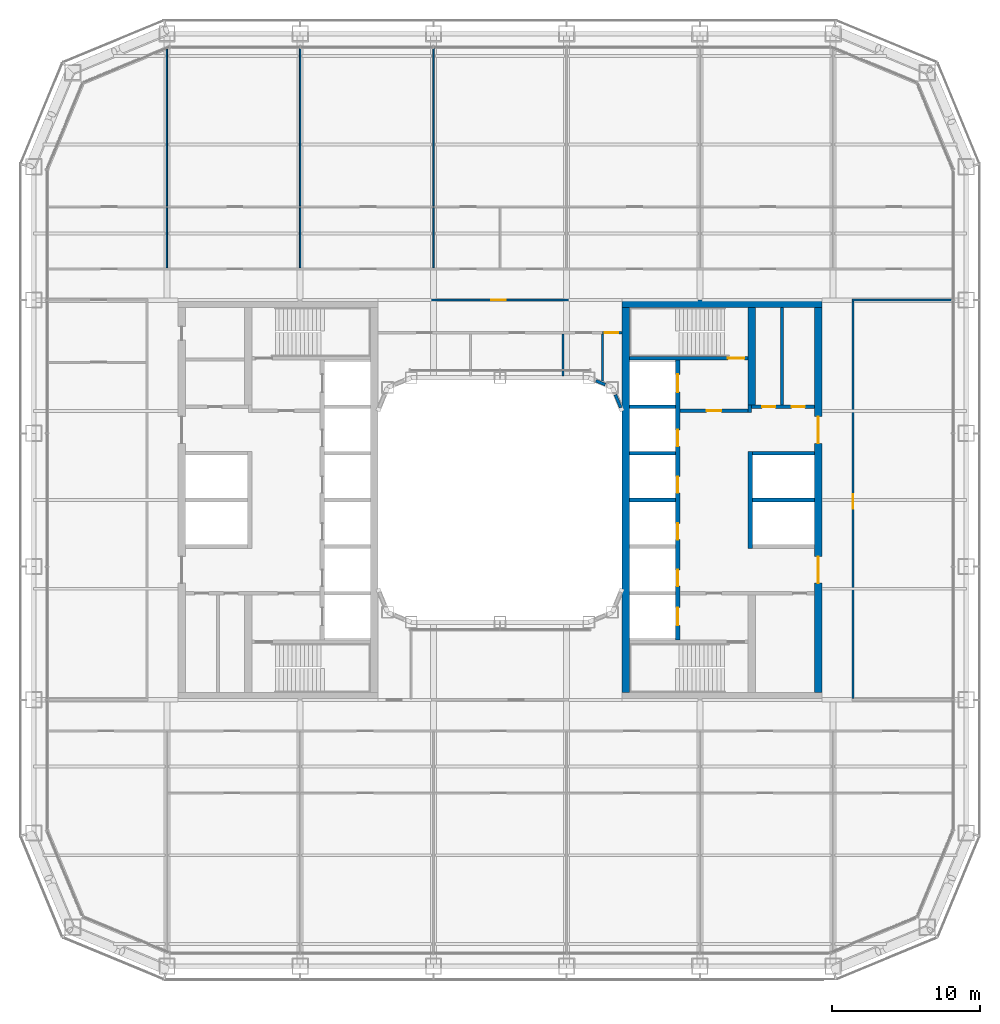
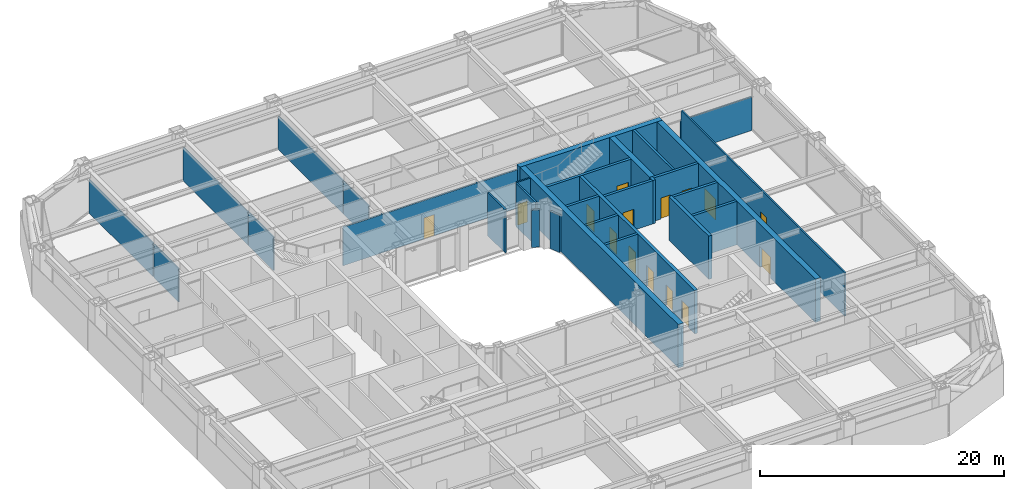
# One storey, part 14 of 24: 30 walls, 15 doors, 15 openings.
"""IFC4 building model written with IfcOpenShell, lengths in metres."""

from ifc_helpers import new_model, si_unit, direction, frame, frame_2d, origin, place, context, subcontext, project, spatial, rectangle, extrude, material, layer, layer_set, type_object, element, fill, save


model = new_model("IFC4")

# Units and contexts
model_context = context("Model", 3, precision=1e-05, world=origin(), true_north=direction((0.0, 1.0)))
body_context = subcontext(model_context, "Body", "Model", "MODEL_VIEW")
ifc_project = project(units=[si_unit("LENGTHUNIT", "METRE"), si_unit("AREAUNIT", "SQUARE_METRE"), si_unit("VOLUMEUNIT", "CUBIC_METRE"), si_unit("PLANEANGLEUNIT", "RADIAN"), si_unit("MASSUNIT", "GRAM", prefix="KILO")], contexts=[model_context])

# Site, building, storey
site_placement = place(None, origin())
site = spatial("IfcSite", under=ifc_project, at=site_placement, CompositionType="ELEMENT")
building_placement = place(site_placement, origin())
building = spatial("IfcBuilding", under=site, at=building_placement, Name="Siwar Civic Tower", CompositionType="ELEMENT")
storey_placement = place(building_placement, frame((0.0, 0.0, 22.199951171875)))
storey = spatial("IfcBuildingStorey", under=building, at=storey_placement, Name="L04", CompositionType="ELEMENT", Elevation=22.199951171875)

# Wall, opening, door
ifc_material_1 = material(Name="Gypsum board on steel studs", Category="steel")
ifc_layer_1 = layer(ifc_material_1, 0.14990234375)
ifc_layer_set_1 = layer_set([ifc_layer_1], Name="Gypsum board on steel studs")
wall_type_1 = type_object("IfcWallType", Name="COMPARTMENT PARTITION 150 EI 60", PredefinedType="PARTITIONING", material=ifc_layer_set_1)
wall_1_placement = place(storey_placement, frame((6.919921875, 11.300048828125, 0.0), z_axis=(0.0, 0.0, 1.0), x_axis=(1.0, 0.0, 0.0)))
wall_1 = element("IfcWall", 1, at=wall_1_placement, inside=storey, type_object=wall_type_1, Name="L04/wall/P08", PredefinedType="PARTITIONING", context=body_context, shape_type="SweptSolid", body=[
    extrude(rectangle(XDim=1.330078125, YDim=0.14990234375, at=frame_2d((0.6650390625, 0.0))), origin(), (0.0, 0.0, 1.0), 4.35009765625),
])
opening_1_placement = place(wall_1_placement, frame((0.14990234375, 0.0, 0.0)))
opening_1 = element("IfcOpeningElement", 2, at=opening_1_placement, cuts=wall_1, Name="Opening D4", PredefinedType="OPENING", context=body_context, shape_type="SweptSolid", body=[
    extrude(rectangle(XDim=0.89990234375, YDim=2.10009765625, at=frame_2d((0.449951171875, 1.050048828125))), frame((0.0, 0.0849609375, 0.0), z_axis=(0.0, -1.0, 0.0), x_axis=(1.0, 0.0, 0.0)), (0.0, 0.0, 1.0), 0.169921875),
])
ifc_material_2 = material(Name="Timber, painted", Category="wood")
door_type_1 = type_object("IfcDoorType", Name="DOOR 900 X 2100 FD60", OperationType="SINGLE_SWING_LEFT", PredefinedType="DOOR", material=ifc_material_2)
door_1_placement = place(opening_1_placement, origin())
door_1 = element("IfcDoor", 3, at=door_1_placement, inside=storey, type_object=door_type_1, Name="L04-D36", OperationType="SINGLE_SWING_RIGHT", OverallHeight=2.10009765625, OverallWidth=0.89990234375, PredefinedType="DOOR", context=body_context, shape_type="SweptSolid", body=[
    extrude(rectangle(XDim=0.89990234375, YDim=2.10009765625, at=frame_2d((0.449951171875, 1.050048828125))), frame((0.0, 0.02490234375, 0.0), z_axis=(0.0, -1.0, 0.0), x_axis=(1.0, 0.0, 0.0)), (0.0, 0.0, 1.0), 0.050048828125),
])
fill(opening_1, door_1)

# Walls
wall_2_placement = place(storey_placement, frame((6.919921875, 8.028076171875, 0.0), z_axis=(0.0, 0.0, 1.0), x_axis=(0.0, 1.0, 0.0)))
element("IfcWall", 4, at=wall_2_placement, inside=storey, type_object=wall_type_1, Name="L04/wall/P34", PredefinedType="PARTITIONING", context=body_context, shape_type="SweptSolid", body=[
    extrude(rectangle(XDim=3.197021484375, YDim=0.14990234375, at=frame_2d((1.5986328125, 0.0))), origin(), (0.0, 0.0, 1.0), 4.35009765625),
])
ifc_material_3 = material(Name="Gypsum board on steel studs", Category="steel")
ifc_layer_2 = layer(ifc_material_3, 0.199951171875)
ifc_layer_set_2 = layer_set([ifc_layer_2], Name="Gypsum board on steel studs")
wall_type_2 = type_object("IfcWallType", Name="CORE-PARTITION-200", PredefinedType="PARTITIONING", material=ifc_layer_set_2)
wall_3_placement = place(storey_placement, frame((19.050048828125, 6.425048828125, 0.0), z_axis=(0.0, 0.0, 1.0), x_axis=(0.0, 1.0, 0.0)))
element("IfcWall", 5, at=wall_3_placement, inside=storey, type_object=wall_type_2, Name="Core partition E", PredefinedType="PARTITIONING", context=body_context, shape_type="SweptSolid", body=[
    extrude(rectangle(XDim=6.574951171875, YDim=0.199951171875, at=frame_2d((3.28759765625, 0.0))), origin(), (0.0, 0.0, 1.0), 4.35009765625),
])

# Wall, opening, door
ifc_material_4 = material(Name="Concrete C60/75", Category="concrete")
ifc_layer_3 = layer(ifc_material_4, 0.25)
ifc_layer_set_3 = layer_set([ifc_layer_3], Name="Concrete C60/75")
wall_type_3 = type_object("IfcWallType", Name="CORE-WALL-RC250", PredefinedType="SHEAR", material=ifc_layer_set_3)
wall_4_placement = place(storey_placement, frame((12.14990234375, 6.02490234375, 0.0), z_axis=(0.0, 0.0, 1.0), x_axis=(1.0, 0.0, 0.0)))
wall_4 = element("IfcWall", 6, at=wall_4_placement, inside=storey, type_object=wall_type_3, Name="Core wall E", PredefinedType="SHEAR", context=body_context, shape_type="SweptSolid", body=[
    extrude(rectangle(XDim=4.60009765625, YDim=0.25, at=frame_2d((2.300048828125, 0.0))), origin(), (0.0, 0.0, 1.0), 4.35009765625),
])
opening_2_placement = place(wall_4_placement, frame((1.800048828125, 0.0, 0.0)))
opening_2 = element("IfcOpeningElement", 7, at=opening_2_placement, cuts=wall_4, Name="Opening L04-CE01", PredefinedType="OPENING", context=body_context, shape_type="SweptSolid", body=[
    extrude(rectangle(XDim=1.0, YDim=2.10009765625, at=frame_2d((0.5, 1.050048828125))), frame((0.0, 0.135009765625, 0.0), z_axis=(0.0, -1.0, 0.0), x_axis=(1.0, 0.0, 0.0)), (0.0, 0.0, 1.0), 0.27001953125),
])
ifc_material_5 = material(Name="Steel door leaf", Category="steel")
door_type_2 = type_object("IfcDoorType", Name="CORE-DOOR-FD30S", OperationType="SINGLE_SWING_LEFT", PredefinedType="DOOR", material=ifc_material_5)
door_2_placement = place(opening_2_placement, origin())
door_2 = element("IfcDoor", 8, at=door_2_placement, inside=storey, type_object=door_type_2, Name="Firefighting lobby door L04-CE01", OperationType="SINGLE_SWING_RIGHT", OverallHeight=2.10009765625, OverallWidth=1.0, PredefinedType="DOOR", context=body_context, shape_type="SweptSolid", body=[
    extrude(rectangle(XDim=1.0, YDim=2.10009765625, at=frame_2d((0.5, 1.050048828125))), frame((0.0, 0.02490234375, 0.0), z_axis=(0.0, -1.0, 0.0), x_axis=(1.0, 0.0, 0.0)), (0.0, 0.0, 1.0), 0.050048828125),
])
fill(opening_2, door_2)

# Wall
wall_5_placement = place(storey_placement, frame((16.875, 5.89990234375, 0.0), z_axis=(0.0, 0.0, 1.0), x_axis=(0.0, 1.0, 0.0)))
element("IfcWall", 9, at=wall_5_placement, inside=storey, type_object=wall_type_3, Name="Core wall E", PredefinedType="SHEAR", context=body_context, shape_type="SweptSolid", body=[
    extrude(rectangle(XDim=0.525146484375, YDim=0.25, at=frame_2d((0.2626953125, 0.0))), origin(), (0.0, 0.0, 1.0), 4.35009765625),
])

# Wall, openings, doors
wall_6_placement = place(storey_placement, frame((17.0, 6.300048828125, 0.0), z_axis=(0.0, 0.0, 1.0), x_axis=(1.0, 0.0, 0.0)))
wall_6 = element("IfcWall", 10, at=wall_6_placement, inside=storey, type_object=wall_type_3, Name="Core wall E", PredefinedType="SHEAR", context=body_context, shape_type="SweptSolid", body=[
    extrude(rectangle(XDim=4.25, YDim=0.25, at=frame_2d((2.125, 0.0))), origin(), (0.0, 0.0, 1.0), 4.35009765625),
])
opening_3_placement = place(wall_6_placement, frame((0.699951171875, 0.0, 0.0)))
opening_3 = element("IfcOpeningElement", 11, at=opening_3_placement, cuts=wall_6, Name="Opening L04-CE13", PredefinedType="OPENING", context=body_context, shape_type="SweptSolid", body=[
    extrude(rectangle(XDim=0.89990234375, YDim=2.10009765625, at=frame_2d((0.449951171875, 1.050048828125))), frame((0.0, 0.135009765625, 0.0), z_axis=(0.0, -1.0, 0.0), x_axis=(1.0, 0.0, 0.0)), (0.0, 0.0, 1.0), 0.27001953125),
])
opening_4_placement = place(wall_6_placement, frame((2.699951171875, 0.0, 0.0)))
opening_4 = element("IfcOpeningElement", 12, at=opening_4_placement, cuts=wall_6, Name="Opening L04-CE14", PredefinedType="OPENING", context=body_context, shape_type="SweptSolid", body=[
    extrude(rectangle(XDim=0.89990234375, YDim=2.10009765625, at=frame_2d((0.449951171875, 1.050048828125))), frame((0.0, 0.135009765625, 0.0), z_axis=(0.0, -1.0, 0.0), x_axis=(1.0, 0.0, 0.0)), (0.0, 0.0, 1.0), 0.27001953125),
])
ifc_material_6 = material(Name="Steel door leaf", Category="steel")
door_type_3 = type_object("IfcDoorType", Name="CORE-DOOR-ROOM", OperationType="SINGLE_SWING_LEFT", PredefinedType="DOOR", material=ifc_material_6)
door_3_placement = place(opening_3_placement, origin())
door_3 = element("IfcDoor", 13, at=door_3_placement, inside=storey, type_object=door_type_3, Name="Core room door L04-CE13", OperationType="SINGLE_SWING_LEFT", OverallHeight=2.10009765625, OverallWidth=0.89990234375, PredefinedType="DOOR", context=body_context, shape_type="SweptSolid", body=[
    extrude(rectangle(XDim=0.89990234375, YDim=2.10009765625, at=frame_2d((0.449951171875, 1.050048828125))), frame((0.0, 0.02490234375, 0.0), z_axis=(0.0, -1.0, 0.0), x_axis=(1.0, 0.0, 0.0)), (0.0, 0.0, 1.0), 0.050048828125),
])
fill(opening_3, door_3)
door_4_placement = place(opening_4_placement, origin())
door_4 = element("IfcDoor", 14, at=door_4_placement, inside=storey, type_object=door_type_3, Name="Core room door L04-CE14", OperationType="SINGLE_SWING_RIGHT", OverallHeight=2.10009765625, OverallWidth=0.89990234375, PredefinedType="DOOR", context=body_context, shape_type="SweptSolid", body=[
    extrude(rectangle(XDim=0.89990234375, YDim=2.10009765625, at=frame_2d((0.449951171875, 1.050048828125))), frame((0.0, 0.02490234375, 0.0), z_axis=(0.0, -1.0, 0.0), x_axis=(1.0, 0.0, 0.0)), (0.0, 0.0, 1.0), 0.050048828125),
])
fill(opening_4, door_4)

# Walls
for number, where, z_axis, x_axis, name in (
    (15, (17.050048828125, 0.0, 0.0), (0.0, 0.0, 1.0), (1.0, 0.0, 0.0), "Core wall E"),
    (16, (17.050048828125, 3.14990234375, 0.0), (0.0, 0.0, 1.0), (1.0, 0.0, 0.0), "Core wall E"),
):
    element("IfcWall", number, at=place(storey_placement, frame(where, z_axis=z_axis, x_axis=x_axis)), inside=storey, type_object=wall_type_3, Name=name, PredefinedType="SHEAR", context=body_context, shape_type="SweptSolid", body=[
        extrude(rectangle(XDim=4.199951171875, YDim=0.25, at=frame_2d((2.10009765625, 0.0))), origin(), (0.0, 0.0, 1.0), 4.35009765625),
    ])
for number, where, z_axis, x_axis, name in (
    (17, (8.75, 0.0, 0.0), (0.0, 0.0, 1.0), (1.0, 0.0, 0.0), "Core wall E"),
    (18, (8.75, 3.14990234375, 0.0), (0.0, 0.0, 1.0), (1.0, 0.0, 0.0), "Core wall E"),
    (19, (8.75, 6.300048828125, 0.0), (0.0, 0.0, 1.0), (1.0, 0.0, 0.0), "Core wall E"),
):
    element("IfcWall", number, at=place(storey_placement, frame(where, z_axis=z_axis, x_axis=x_axis)), inside=storey, type_object=wall_type_3, Name=name, PredefinedType="SHEAR", context=body_context, shape_type="SweptSolid", body=[
        extrude(rectangle(XDim=3.10009765625, YDim=0.25, at=frame_2d((1.550048828125, 0.0))), origin(), (0.0, 0.0, 1.0), 4.35009765625),
    ])

# Wall, opening, door
wall_7_placement = place(storey_placement, frame((8.75, 9.574951171875, 0.0), z_axis=(0.0, 0.0, 1.0), x_axis=(1.0, 0.0, 0.0)))
wall_7 = element("IfcWall", 20, at=wall_7_placement, inside=storey, type_object=wall_type_3, Name="Core wall E", PredefinedType="SHEAR", context=body_context, shape_type="SweptSolid", body=[
    extrude(rectangle(XDim=8.0, YDim=0.25, at=frame_2d((4.0, 0.0))), origin(), (0.0, 0.0, 1.0), 4.35009765625),
])
opening_5_placement = place(wall_7_placement, frame((6.64990234375, 0.0, 0.0)))
opening_5 = element("IfcOpeningElement", 21, at=opening_5_placement, cuts=wall_7, Name="Opening L04-CE03", PredefinedType="OPENING", context=body_context, shape_type="SweptSolid", body=[
    extrude(rectangle(XDim=1.10009765625, YDim=2.10009765625, at=frame_2d((0.550048828125, 1.050048828125))), frame((0.0, 0.135009765625, 0.0), z_axis=(0.0, -1.0, 0.0), x_axis=(1.0, 0.0, 0.0)), (0.0, 0.0, 1.0), 0.27001953125),
])
ifc_material_7 = material(Name="Steel door leaf", Category="steel")
door_type_4 = type_object("IfcDoorType", Name="CORE-DOOR-FD60S", OperationType="SINGLE_SWING_LEFT", PredefinedType="DOOR", material=ifc_material_7)
door_5_placement = place(opening_5_placement, origin())
door_5 = element("IfcDoor", 22, at=door_5_placement, inside=storey, type_object=door_type_4, Name="Stair door L04-CE03", OperationType="SINGLE_SWING_LEFT", OverallHeight=2.10009765625, OverallWidth=1.10009765625, PredefinedType="DOOR", context=body_context, shape_type="SweptSolid", body=[
    extrude(rectangle(XDim=1.10009765625, YDim=2.10009765625, at=frame_2d((0.550048828125, 1.050048828125))), frame((0.0, 0.02490234375, 0.0), z_axis=(0.0, -1.0, 0.0), x_axis=(1.0, 0.0, 0.0)), (0.0, 0.0, 1.0), 0.050048828125),
])
fill(opening_5, door_5)

# Wall, openings, doors
ifc_material_8 = material(Name="Concrete C60/75", Category="concrete")
ifc_layer_4 = layer(ifc_material_8, 0.300048828125)
ifc_layer_set_4 = layer_set([ifc_layer_4], Name="Concrete C60/75")
wall_type_4 = type_object("IfcWallType", Name="CORE-WALL-RC300", PredefinedType="SHEAR", material=ifc_layer_set_4)
wall_8_placement = place(storey_placement, frame((12.0, -9.449951171875, 0.0), z_axis=(0.0, 0.0, 1.0), x_axis=(0.0, 1.0, 0.0)))
wall_8 = element("IfcWall", 23, at=wall_8_placement, inside=storey, type_object=wall_type_4, Name="Core wall E", PredefinedType="SHEAR", context=body_context, shape_type="SweptSolid", body=[
    extrude(rectangle(XDim=18.89990234375, YDim=0.300048828125, at=frame_2d((9.449951171875, 0.0))), origin(), (0.0, 0.0, 1.0), 4.35009765625),
])
opening_6_placement = place(wall_8_placement, frame((3.625, 0.0, 0.0)))
opening_6 = element("IfcOpeningElement", 24, at=opening_6_placement, cuts=wall_8, Name="Opening L04-CE07", PredefinedType="OPENING", context=body_context, shape_type="SweptSolid", body=[
    extrude(rectangle(XDim=1.10009765625, YDim=2.10009765625, at=frame_2d((0.550048828125, 1.050048828125))), frame((0.0, 0.16015625, 0.0), z_axis=(0.0, -1.0, 0.0), x_axis=(1.0, 0.0, 0.0)), (0.0, 0.0, 1.0), 0.320068359375),
])
opening_7_placement = place(wall_8_placement, frame((6.77490234375, 0.0, 0.0)))
opening_7 = element("IfcOpeningElement", 25, at=opening_7_placement, cuts=wall_8, Name="Opening L04-CE08", PredefinedType="OPENING", context=body_context, shape_type="SweptSolid", body=[
    extrude(rectangle(XDim=1.10009765625, YDim=2.10009765625, at=frame_2d((0.550048828125, 1.050048828125))), frame((0.0, 0.16015625, 0.0), z_axis=(0.0, -1.0, 0.0), x_axis=(1.0, 0.0, 0.0)), (0.0, 0.0, 1.0), 0.320068359375),
])
opening_8_placement = place(wall_8_placement, frame((9.925048828125, 0.0, 0.0)))
opening_8 = element("IfcOpeningElement", 26, at=opening_8_placement, cuts=wall_8, Name="Opening L04-CE09", PredefinedType="OPENING", context=body_context, shape_type="SweptSolid", body=[
    extrude(rectangle(XDim=1.10009765625, YDim=2.10009765625, at=frame_2d((0.550048828125, 1.050048828125))), frame((0.0, 0.16015625, 0.0), z_axis=(0.0, -1.0, 0.0), x_axis=(1.0, 0.0, 0.0)), (0.0, 0.0, 1.0), 0.320068359375),
])
opening_9_placement = place(wall_8_placement, frame((13.074951171875, 0.0, 0.0)))
opening_9 = element("IfcOpeningElement", 27, at=opening_9_placement, cuts=wall_8, Name="Opening L04-CE10", PredefinedType="OPENING", context=body_context, shape_type="SweptSolid", body=[
    extrude(rectangle(XDim=1.10009765625, YDim=2.10009765625, at=frame_2d((0.550048828125, 1.050048828125))), frame((0.0, 0.16015625, 0.0), z_axis=(0.0, -1.0, 0.0), x_axis=(1.0, 0.0, 0.0)), (0.0, 0.0, 1.0), 0.320068359375),
])
opening_10_placement = place(wall_8_placement, frame((16.72509765625, 0.0, 0.0)))
opening_10 = element("IfcOpeningElement", 28, at=opening_10_placement, cuts=wall_8, Name="Opening L04-CE11", PredefinedType="OPENING", context=body_context, shape_type="SweptSolid", body=[
    extrude(rectangle(XDim=1.199951171875, YDim=2.10009765625, at=frame_2d((0.60009765625, 1.050048828125))), frame((0.0, 0.16015625, 0.0), z_axis=(0.0, -1.0, 0.0), x_axis=(1.0, 0.0, 0.0)), (0.0, 0.0, 1.0), 0.320068359375),
])
opening_11_placement = place(wall_8_placement, frame((0.97509765625, 0.0, 0.0)))
opening_11 = element("IfcOpeningElement", 29, at=opening_11_placement, cuts=wall_8, Name="Opening L04-CE12", PredefinedType="OPENING", context=body_context, shape_type="SweptSolid", body=[
    extrude(rectangle(XDim=1.199951171875, YDim=2.10009765625, at=frame_2d((0.60009765625, 1.050048828125))), frame((0.0, 0.16015625, 0.0), z_axis=(0.0, -1.0, 0.0), x_axis=(1.0, 0.0, 0.0)), (0.0, 0.0, 1.0), 0.320068359375),
])
ifc_material_9 = material(Name="Steel door leaf", Category="steel")
door_type_5 = type_object("IfcDoorType", Name="CORE-DOOR-LD", OperationType="DOUBLE_DOOR_SLIDING", PredefinedType="DOOR", material=ifc_material_9)
door_6_placement = place(opening_6_placement, origin())
door_6 = element("IfcDoor", 30, at=door_6_placement, inside=storey, type_object=door_type_5, Name="Landing door LR5 L04-CE07", OperationType="DOUBLE_DOOR_SLIDING", OverallHeight=2.10009765625, OverallWidth=1.10009765625, PredefinedType="DOOR", context=body_context, shape_type="SweptSolid", body=[
    extrude(rectangle(XDim=1.10009765625, YDim=2.10009765625, at=frame_2d((0.550048828125, 1.050048828125))), frame((0.0, 0.02490234375, 0.0), z_axis=(0.0, -1.0, 0.0), x_axis=(1.0, 0.0, 0.0)), (0.0, 0.0, 1.0), 0.050048828125),
])
fill(opening_6, door_6)
door_7_placement = place(opening_7_placement, origin())
door_7 = element("IfcDoor", 31, at=door_7_placement, inside=storey, type_object=door_type_5, Name="Landing door LR6 L04-CE08", OperationType="DOUBLE_DOOR_SLIDING", OverallHeight=2.10009765625, OverallWidth=1.10009765625, PredefinedType="DOOR", context=body_context, shape_type="SweptSolid", body=[
    extrude(rectangle(XDim=1.10009765625, YDim=2.10009765625, at=frame_2d((0.550048828125, 1.050048828125))), frame((0.0, 0.02490234375, 0.0), z_axis=(0.0, -1.0, 0.0), x_axis=(1.0, 0.0, 0.0)), (0.0, 0.0, 1.0), 0.050048828125),
])
fill(opening_7, door_7)
door_8_placement = place(opening_8_placement, origin())
door_8 = element("IfcDoor", 32, at=door_8_placement, inside=storey, type_object=door_type_5, Name="Landing door LR7 L04-CE09", OperationType="DOUBLE_DOOR_SLIDING", OverallHeight=2.10009765625, OverallWidth=1.10009765625, PredefinedType="DOOR", context=body_context, shape_type="SweptSolid", body=[
    extrude(rectangle(XDim=1.10009765625, YDim=2.10009765625, at=frame_2d((0.550048828125, 1.050048828125))), frame((0.0, 0.02490234375, 0.0), z_axis=(0.0, -1.0, 0.0), x_axis=(1.0, 0.0, 0.0)), (0.0, 0.0, 1.0), 0.050048828125),
])
fill(opening_8, door_8)
door_9_placement = place(opening_9_placement, origin())
door_9 = element("IfcDoor", 33, at=door_9_placement, inside=storey, type_object=door_type_5, Name="Landing door LR8 L04-CE10", OperationType="DOUBLE_DOOR_SLIDING", OverallHeight=2.10009765625, OverallWidth=1.10009765625, PredefinedType="DOOR", context=body_context, shape_type="SweptSolid", body=[
    extrude(rectangle(XDim=1.10009765625, YDim=2.10009765625, at=frame_2d((0.550048828125, 1.050048828125))), frame((0.0, 0.02490234375, 0.0), z_axis=(0.0, -1.0, 0.0), x_axis=(1.0, 0.0, 0.0)), (0.0, 0.0, 1.0), 0.050048828125),
])
fill(opening_9, door_9)
ifc_material_10 = material(Name="Steel door leaf", Category="steel")
door_type_6 = type_object("IfcDoorType", Name="CORE-DOOR-LDW", OperationType="DOUBLE_DOOR_SLIDING", PredefinedType="DOOR", material=ifc_material_10)
door_10_placement = place(opening_10_placement, origin())
door_10 = element("IfcDoor", 34, at=door_10_placement, inside=storey, type_object=door_type_6, Name="Landing door FF2 L04-CE11", OperationType="DOUBLE_DOOR_SLIDING", OverallHeight=2.10009765625, OverallWidth=1.199951171875, PredefinedType="DOOR", context=body_context, shape_type="SweptSolid", body=[
    extrude(rectangle(XDim=1.199951171875, YDim=2.10009765625, at=frame_2d((0.60009765625, 1.050048828125))), frame((0.0, 0.02490234375, 0.0), z_axis=(0.0, -1.0, 0.0), x_axis=(1.0, 0.0, 0.0)), (0.0, 0.0, 1.0), 0.050048828125),
])
fill(opening_10, door_10)
door_11_placement = place(opening_11_placement, origin())
door_11 = element("IfcDoor", 35, at=door_11_placement, inside=storey, type_object=door_type_6, Name="Landing door SV2 L04-CE12", OperationType="DOUBLE_DOOR_SLIDING", OverallHeight=2.10009765625, OverallWidth=1.199951171875, PredefinedType="DOOR", context=body_context, shape_type="SweptSolid", body=[
    extrude(rectangle(XDim=1.199951171875, YDim=2.10009765625, at=frame_2d((0.60009765625, 1.050048828125))), frame((0.0, 0.02490234375, 0.0), z_axis=(0.0, -1.0, 0.0), x_axis=(1.0, 0.0, 0.0)), (0.0, 0.0, 1.0), 0.050048828125),
])
fill(opening_11, door_11)

# Wall
wall_9_placement = place(storey_placement, frame((16.89990234375, -3.27490234375, 0.0), z_axis=(0.0, 0.0, 1.0), x_axis=(0.0, 1.0, 0.0)))
element("IfcWall", 36, at=wall_9_placement, inside=storey, type_object=wall_type_4, Name="Core wall E", PredefinedType="SHEAR", context=body_context, shape_type="SweptSolid", body=[
    extrude(rectangle(XDim=6.5498046875, YDim=0.300048828125, at=frame_2d((3.27490234375, 0.0))), origin(), (0.0, 0.0, 1.0), 4.35009765625),
])

# Wall, openings, doors
ifc_material_11 = material(Name="Concrete C60/75", Category="concrete")
ifc_layer_5 = layer(ifc_material_11, 0.5)
ifc_layer_set_5 = layer_set([ifc_layer_5], Name="Concrete C60/75")
wall_type_5 = type_object("IfcWallType", Name="CORE-WALL-RC500", PredefinedType="SHEAR", material=ifc_layer_set_5)
wall_10_placement = place(storey_placement, frame((21.5, -13.0, 0.0), z_axis=(0.0, 0.0, 1.0), x_axis=(0.0, 1.0, 0.0)))
wall_10 = element("IfcWall", 37, at=wall_10_placement, inside=storey, type_object=wall_type_5, Name="Core wall E", PredefinedType="SHEAR", context=body_context, shape_type="SweptSolid", body=[
    extrude(rectangle(XDim=26.0, YDim=0.5, at=frame_2d((13.0, 0.0))), origin(), (0.0, 0.0, 1.0), 4.35009765625),
])
opening_12_placement = place(wall_10_placement, frame((16.824951171875, 0.0, 0.0)))
opening_12 = element("IfcOpeningElement", 38, at=opening_12_placement, cuts=wall_10, Name="Opening L04-CE05", PredefinedType="OPENING", context=body_context, shape_type="SweptSolid", body=[
    extrude(rectangle(XDim=1.800048828125, YDim=2.10009765625, at=frame_2d((0.89990234375, 1.050048828125))), frame((0.0, 0.260009765625, 0.0), z_axis=(0.0, -1.0, 0.0), x_axis=(1.0, 0.0, 0.0)), (0.0, 0.0, 1.0), 0.52001953125),
])
opening_13_placement = place(wall_10_placement, frame((7.375, 0.0, 0.0)))
opening_13 = element("IfcOpeningElement", 39, at=opening_13_placement, cuts=wall_10, Name="Opening L04-CE06", PredefinedType="OPENING", context=body_context, shape_type="SweptSolid", body=[
    extrude(rectangle(XDim=1.800048828125, YDim=2.10009765625, at=frame_2d((0.89990234375, 1.050048828125))), frame((0.0, 0.260009765625, 0.0), z_axis=(0.0, -1.0, 0.0), x_axis=(1.0, 0.0, 0.0)), (0.0, 0.0, 1.0), 0.52001953125),
])
ifc_material_12 = material(Name="Steel door leaf", Category="steel")
door_type_7 = type_object("IfcDoorType", Name="CORE-DOOR-PORT", OperationType="DOUBLE_DOOR_DOUBLE_SWING", PredefinedType="DOOR", material=ifc_material_12)
door_12_placement = place(opening_12_placement, origin())
door_12 = element("IfcDoor", 40, at=door_12_placement, inside=storey, type_object=door_type_7, Name="Core entrance door L04-CE05", OperationType="DOUBLE_DOOR_DOUBLE_SWING", OverallHeight=2.10009765625, OverallWidth=1.800048828125, PredefinedType="DOOR", context=body_context, shape_type="SweptSolid", body=[
    extrude(rectangle(XDim=1.800048828125, YDim=2.10009765625, at=frame_2d((0.89990234375, 1.050048828125))), frame((0.0, 0.02490234375, 0.0), z_axis=(0.0, -1.0, 0.0), x_axis=(1.0, 0.0, 0.0)), (0.0, 0.0, 1.0), 0.050048828125),
])
fill(opening_12, door_12)
door_13_placement = place(opening_13_placement, origin())
door_13 = element("IfcDoor", 41, at=door_13_placement, inside=storey, type_object=door_type_7, Name="Core entrance door L04-CE06", OperationType="DOUBLE_DOOR_DOUBLE_SWING", OverallHeight=2.10009765625, OverallWidth=1.800048828125, PredefinedType="DOOR", context=body_context, shape_type="SweptSolid", body=[
    extrude(rectangle(XDim=1.800048828125, YDim=2.10009765625, at=frame_2d((0.89990234375, 1.050048828125))), frame((0.0, 0.02490234375, 0.0), z_axis=(0.0, -1.0, 0.0), x_axis=(1.0, 0.0, 0.0)), (0.0, 0.0, 1.0), 0.050048828125),
])
fill(opening_13, door_13)

# Walls
wall_11_placement = place(storey_placement, frame((17.0, 6.425048828125, 0.0), z_axis=(0.0, 0.0, 1.0), x_axis=(0.0, 1.0, 0.0)))
element("IfcWall", 42, at=wall_11_placement, inside=storey, type_object=wall_type_5, Name="Core wall E", PredefinedType="SHEAR", context=body_context, shape_type="SweptSolid", body=[
    extrude(rectangle(XDim=6.574951171875, YDim=0.5, at=frame_2d((3.28759765625, 0.0))), origin(), (0.0, 0.0, 1.0), 4.35009765625),
])
wall_12_placement = place(storey_placement, frame((8.25, 13.25, 0.0), z_axis=(0.0, 0.0, 1.0), x_axis=(1.0, 0.0, 0.0)))
element("IfcWall", 43, at=wall_12_placement, inside=storey, type_object=wall_type_5, Name="Core wall E", PredefinedType="SHEAR", context=body_context, shape_type="SweptSolid", body=[
    extrude(rectangle(XDim=13.5, YDim=0.5, at=frame_2d((6.75, 0.0))), origin(), (0.0, 0.0, 1.0), 4.35009765625),
])
ifc_material_13 = material(Name="Concrete C60/75", Category="concrete")
ifc_layer_6 = layer(ifc_material_13, 0.5)
ifc_layer_set_6 = layer_set([ifc_layer_6], Name="Concrete C60/75")
wall_type_6 = type_object("IfcWallType", Name="CORE-WALL-RC500-EXT", PredefinedType="SHEAR", material=ifc_layer_set_6)
wall_13_placement = place(storey_placement, frame((8.5, -13.0, 0.0), z_axis=(0.0, 0.0, 1.0), x_axis=(0.0, 1.0, 0.0)))
element("IfcWall", 44, at=wall_13_placement, inside=storey, type_object=wall_type_6, Name="Core wall E", PredefinedType="SHEAR", context=body_context, shape_type="SweptSolid", body=[
    extrude(rectangle(XDim=26.0, YDim=0.5, at=frame_2d((13.0, 0.0))), origin(), (0.0, 0.0, 1.0), 4.35009765625),
])

# Wall, opening, door
ifc_material_14 = material(Name="Gypsum board on steel studs", Category="steel")
ifc_layer_7 = layer(ifc_material_14, 0.14990234375)
ifc_layer_set_7 = layer_set([ifc_layer_7], Name="Gypsum board on steel studs")
wall_type_7 = type_object("IfcWallType", Name="CORRIDOR PARTITION 150 EI 30", PredefinedType="PARTITIONING", material=ifc_layer_set_7)
wall_14_placement = place(storey_placement, frame((-8.25, 13.5, 0.0), z_axis=(0.0, 0.0, 1.0), x_axis=(1.0, 0.0, 0.0)))
wall_14 = element("IfcWall", 45, at=wall_14_placement, inside=storey, type_object=wall_type_7, Name="L04/wall/P10", PredefinedType="PARTITIONING", context=body_context, shape_type="SweptSolid", body=[
    extrude(rectangle(XDim=16.5, YDim=0.14990234375, at=frame_2d((8.25, 0.0))), origin(), (0.0, 0.0, 1.0), 3.85009765625),
])
opening_14_placement = place(wall_14_placement, frame((7.64990234375, 0.0, 0.0)))
opening_14 = element("IfcOpeningElement", 46, at=opening_14_placement, cuts=wall_14, Name="Opening D1", PredefinedType="OPENING", context=body_context, shape_type="SweptSolid", body=[
    extrude(rectangle(XDim=1.0, YDim=2.10009765625, at=frame_2d((0.5, 1.050048828125))), frame((0.0, 0.0849609375, 0.0), z_axis=(0.0, -1.0, 0.0), x_axis=(1.0, 0.0, 0.0)), (0.0, 0.0, 1.0), 0.169921875),
])
ifc_material_15 = material(Name="Timber, painted", Category="wood")
door_type_8 = type_object("IfcDoorType", Name="DOOR 1000 X 2100 FD30", OperationType="SINGLE_SWING_LEFT", PredefinedType="DOOR", material=ifc_material_15)
door_14_placement = place(opening_14_placement, origin())
door_14 = element("IfcDoor", 47, at=door_14_placement, inside=storey, type_object=door_type_8, Name="L04-D32", OperationType="SINGLE_SWING_RIGHT", OverallHeight=2.10009765625, OverallWidth=1.0, PredefinedType="DOOR", context=body_context, shape_type="SweptSolid", body=[
    extrude(rectangle(XDim=1.0, YDim=2.10009765625, at=frame_2d((0.5, 1.050048828125))), frame((0.0, 0.02490234375, 0.0), z_axis=(0.0, -1.0, 0.0), x_axis=(1.0, 0.0, 0.0)), (0.0, 0.0, 1.0), 0.050048828125),
])
fill(opening_14, door_14)

# Walls
wall_15_placement = place(storey_placement, frame((23.77490234375, 13.5, 0.0), z_axis=(0.0, 0.0, 1.0), x_axis=(1.0, 0.0, 0.0)))
element("IfcWall", 48, at=wall_15_placement, inside=storey, type_object=wall_type_7, Name="L04/wall/P11", PredefinedType="PARTITIONING", context=body_context, shape_type="SweptSolid", body=[
    extrude(rectangle(XDim=6.735107421875, YDim=0.14990234375, at=frame_2d((3.36767578125, 0.0))), origin(), (0.0, 0.0, 1.0), 3.35009765625),
])
wall_16_placement = place(storey_placement, frame((4.25, 8.3701171875, 0.0), z_axis=(0.0, 0.0, 1.0), x_axis=(0.0, 1.0, 0.0)))
element("IfcWall", 49, at=wall_16_placement, inside=storey, type_object=wall_type_7, Name="L04/wall/P29", PredefinedType="PARTITIONING", context=body_context, shape_type="SweptSolid", body=[
    extrude(rectangle(XDim=2.85498046875, YDim=0.14990234375, at=frame_2d((1.427490234375, 0.0))), origin(), (0.0, 0.0, 1.0), 4.35009765625),
])

# Wall, opening, door
wall_17_placement = place(storey_placement, frame((23.85009765625, -13.425048828125, 0.0), z_axis=(0.0, 0.0, 1.0), x_axis=(0.0, 1.0, 0.0)))
wall_17 = element("IfcWall", 50, at=wall_17_placement, inside=storey, type_object=wall_type_7, Name="L04/wall/P43", PredefinedType="PARTITIONING", context=body_context, shape_type="SweptSolid", body=[
    extrude(rectangle(XDim=26.85009765625, YDim=0.14990234375, at=frame_2d((13.425048828125, 0.0))), origin(), (0.0, 0.0, 1.0), 4.35009765625),
])
opening_15_placement = place(wall_17_placement, frame((12.824951171875, 0.0, 0.0)))
opening_15 = element("IfcOpeningElement", 51, at=opening_15_placement, cuts=wall_17, Name="Opening D1", PredefinedType="OPENING", context=body_context, shape_type="SweptSolid", body=[
    extrude(rectangle(XDim=1.0, YDim=2.10009765625, at=frame_2d((0.5, 1.050048828125))), frame((0.0, 0.0849609375, 0.0), z_axis=(0.0, -1.0, 0.0), x_axis=(1.0, 0.0, 0.0)), (0.0, 0.0, 1.0), 0.169921875),
])
door_15_placement = place(opening_15_placement, origin())
door_15 = element("IfcDoor", 52, at=door_15_placement, inside=storey, type_object=door_type_8, Name="L04-D31", OperationType="SINGLE_SWING_LEFT", OverallHeight=2.10009765625, OverallWidth=1.0, PredefinedType="DOOR", context=body_context, shape_type="SweptSolid", body=[
    extrude(rectangle(XDim=1.0, YDim=2.10009765625, at=frame_2d((0.5, 1.050048828125))), frame((0.0, 0.02490234375, 0.0), z_axis=(0.0, -1.0, 0.0), x_axis=(1.0, 0.0, 0.0)), (0.0, 0.0, 1.0), 0.050048828125),
])
fill(opening_15, door_15)

# Walls
ifc_material_16 = material(Name="Aluminium clad insulated panel", Category="aluminium")
ifc_layer_8 = layer(ifc_material_16, 0.199951171875)
ifc_layer_set_8 = layer_set([ifc_layer_8], Name="Aluminium clad insulated panel")
wall_type_8 = type_object("IfcWallType", Name="ENV-WALL-WELL", PredefinedType="STANDARD", material=ifc_layer_set_8)
wall_18_placement = place(storey_placement, frame((8.154296875, 6.23095703125, 0.0), z_axis=(0.0, 0.0, 1.0), x_axis=(-0.382624318388, 0.923904016107, 0.0)))
element("IfcWall", 53, at=wall_18_placement, inside=storey, type_object=wall_type_8, Name="Light well corner wall NE1", PredefinedType="STANDARD", context=body_context, shape_type="SweptSolid", body=[
    extrude(rectangle(XDim=0.949462890625, YDim=0.199951171875, at=frame_2d((0.474609375, 0.0))), origin(), (0.0, 0.0, 1.0), 3.72998046875),
])
wall_19_placement = place(storey_placement, frame((7.108154296875, 7.791015625, 0.0), z_axis=(0.0, 0.0, 1.0), x_axis=(-0.923854141361, 0.382744726273, 0.0)))
element("IfcWall", 54, at=wall_19_placement, inside=storey, type_object=wall_type_8, Name="Light well corner wall NE2", PredefinedType="STANDARD", context=body_context, shape_type="SweptSolid", body=[
    extrude(rectangle(XDim=0.6767578125, YDim=0.199951171875, at=frame_2d((0.33837890625, 0.0))), origin(), (0.0, 0.0, 1.0), 3.72998046875),
])
ifc_material_17 = material(Name="Gypsum board on steel studs", Category="steel")
ifc_layer_9 = layer(ifc_material_17, 0.10009765625)
ifc_layer_set_9 = layer_set([ifc_layer_9], Name="Gypsum board on steel studs")
wall_type_9 = type_object("IfcWallType", Name="PARTITION 100 GYPSUM", PredefinedType="PARTITIONING", material=ifc_layer_set_9)
wall_20_placement = place(storey_placement, frame((-22.5, 15.675048828125, 0.0), z_axis=(0.0, 0.0, 1.0), x_axis=(0.0, 1.0, 0.0)))
element("IfcWall", 55, at=wall_20_placement, inside=storey, type_object=wall_type_9, Name="L04/wall/P16", PredefinedType="PARTITIONING", context=body_context, shape_type="SweptSolid", body=[
    extrude(rectangle(XDim=4.074951171875, YDim=0.10009765625, at=frame_2d((2.03759765625, 0.0))), origin(), (0.0, 0.0, 1.0), 3.35009765625),
])
wall_21_placement = place(storey_placement, frame((-22.5, 19.85009765625, 0.0), z_axis=(0.0, 0.0, 1.0), x_axis=(0.0, 1.0, 0.0)))
element("IfcWall", 56, at=wall_21_placement, inside=storey, type_object=wall_type_9, Name="L04/wall/P17", PredefinedType="PARTITIONING", context=body_context, shape_type="SweptSolid", body=[
    extrude(rectangle(XDim=10.577880859375, YDim=0.10009765625, at=frame_2d((5.2890625, 0.0))), origin(), (0.0, 0.0, 1.0), 3.35009765625),
])
wall_22_placement = place(storey_placement, frame((-13.5, 15.675048828125, 0.0), z_axis=(0.0, 0.0, 1.0), x_axis=(0.0, 1.0, 0.0)))
element("IfcWall", 57, at=wall_22_placement, inside=storey, type_object=wall_type_9, Name="L04/wall/P20", PredefinedType="PARTITIONING", context=body_context, shape_type="SweptSolid", body=[
    extrude(rectangle(XDim=4.074951171875, YDim=0.10009765625, at=frame_2d((2.03759765625, 0.0))), origin(), (0.0, 0.0, 1.0), 3.35009765625),
])
wall_23_placement = place(storey_placement, frame((-13.5, 19.85009765625, 0.0), z_axis=(0.0, 0.0, 1.0), x_axis=(0.0, 1.0, 0.0)))
element("IfcWall", 58, at=wall_23_placement, inside=storey, type_object=wall_type_9, Name="L04/wall/P21", PredefinedType="PARTITIONING", context=body_context, shape_type="SweptSolid", body=[
    extrude(rectangle(XDim=10.659912109375, YDim=0.10009765625, at=frame_2d((5.330078125, 0.0))), origin(), (0.0, 0.0, 1.0), 3.35009765625),
])
wall_24_placement = place(storey_placement, frame((-4.5, 15.675048828125, 0.0), z_axis=(0.0, 0.0, 1.0), x_axis=(0.0, 1.0, 0.0)))
element("IfcWall", 59, at=wall_24_placement, inside=storey, type_object=wall_type_9, Name="L04/wall/P25", PredefinedType="PARTITIONING", context=body_context, shape_type="SweptSolid", body=[
    extrude(rectangle(XDim=4.074951171875, YDim=0.10009765625, at=frame_2d((2.03759765625, 0.0))), origin(), (0.0, 0.0, 1.0), 3.35009765625),
])
wall_25_placement = place(storey_placement, frame((-4.5, 19.85009765625, 0.0), z_axis=(0.0, 0.0, 1.0), x_axis=(0.0, 1.0, 0.0)))
element("IfcWall", 60, at=wall_25_placement, inside=storey, type_object=wall_type_9, Name="L04/wall/P26", PredefinedType="PARTITIONING", context=body_context, shape_type="SweptSolid", body=[
    extrude(rectangle(XDim=10.659912109375, YDim=0.10009765625, at=frame_2d((5.330078125, 0.0))), origin(), (0.0, 0.0, 1.0), 3.35009765625),
])

save(model, "model.ifc")
